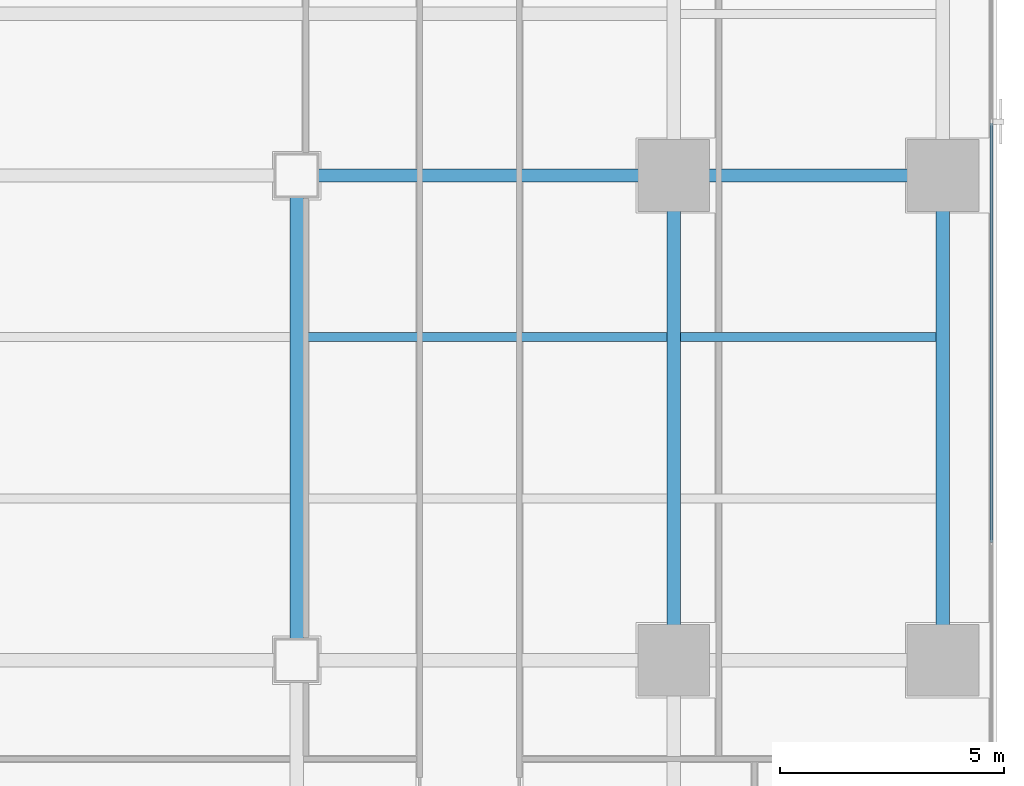
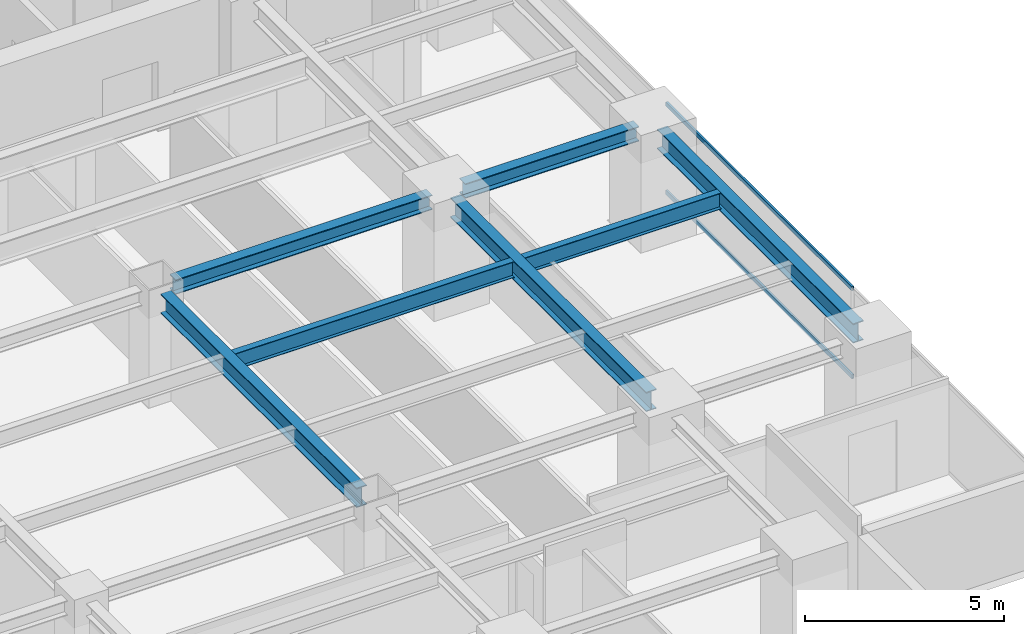
# One storey, part 12 of 28: 7 beams, 2 members, 1 element without a shape of its own.
"""IFC4 building model written with IfcOpenShell, lengths in metres."""

from ifc_helpers import new_model, si_unit, direction, frame, origin, origin_2d, place, context, subcontext, project, spatial, hollow_rectangle, i_section, extrude, source, transform, mapped, material, layer, layer_set, material_profile, profile_set, type_object, element, aggregate, save


model = new_model("IFC4")

# Units and contexts
model_context = context("Model", 3, precision=1e-05, world=origin(), true_north=direction((0.0, 1.0)))
body_context = subcontext(model_context, "Body", "Model", "MODEL_VIEW")
ifc_project = project(units=[si_unit("LENGTHUNIT", "METRE"), si_unit("AREAUNIT", "SQUARE_METRE"), si_unit("VOLUMEUNIT", "CUBIC_METRE"), si_unit("PLANEANGLEUNIT", "RADIAN"), si_unit("MASSUNIT", "GRAM", prefix="KILO")], contexts=[model_context])

# Site, building, storey
site_placement = place(None, origin())
site = spatial("IfcSite", under=ifc_project, at=site_placement, CompositionType="ELEMENT")
building_placement = place(site_placement, origin())
building = spatial("IfcBuilding", under=site, at=building_placement, Name="Sumidabori Civic Tower", CompositionType="ELEMENT")
storey_placement = place(building_placement, frame((0.0, 0.0, 178.39990234375)))
storey = spatial("IfcBuildingStorey", under=building, at=storey_placement, Name="L46", CompositionType="ELEMENT", Elevation=178.39990234375)

# Beams
ifc_material_1 = material(Name="Steel SN490", Category="steel")
ifc_material_profile_1 = material_profile(ifc_material_1, i_section(OverallWidth=0.300048828125, OverallDepth=0.60009765625, WebThickness=0.015380859375, FlangeThickness=0.030029296875, at=origin_2d()), Name="HE 600 B")
ifc_profile_set_1 = profile_set([ifc_material_profile_1], Name="Steel SN490")
beam_type_1 = type_object("IfcBeamType", Name="BM-GIRD-600", PredefinedType="BEAM", material=ifc_profile_set_1)
shared_shape_1 = source(origin(), body_context, "Body", "SweptSolid", [
    extrude(i_section(OverallWidth=0.300048828125, OverallDepth=0.60009765625, WebThickness=0.015380859375, FlangeThickness=0.030029296875, at=origin_2d()), origin(), (0.0, 0.0, 1.0), 9.840087890625),
])
for number, where, z_axis, x_axis, name in (
    (1, (8.39990234375, -10.320068359375, 3.080078125), (0.0, 1.0, 0.0), (-1.0, 0.0, 0.0), "Primary Girder L46 GY-31"),
    (2, (16.800048828125, -10.320068359375, 3.080078125), (0.0, 1.0, 0.0), (-1.0, 0.0, 0.0), "Primary Girder L46 GY-33"),
    (3, (22.800048828125, -10.320068359375, 3.080078125), (0.0, 1.0, 0.0), (-1.0, 0.0, 0.0), "Primary Girder L46 GY-36"),
):
    element("IfcBeam", number, at=place(storey_placement, frame(where, z_axis=z_axis, x_axis=x_axis)), inside=storey, type_object=beam_type_1, Name=name, PredefinedType="BEAM", context=body_context, shape_type="MappedRepresentation", body=[
        mapped(shared_shape_1, transform((0.0, 0.0, 0.0), x_axis=(1.0, 0.0, 0.0), y_axis=(0.0, 1.0, 0.0), z_axis=(0.0, 0.0, 1.0), scale=1.0)),
    ])
ifc_material_profile_2 = material_profile(ifc_material_1, i_section(OverallWidth=0.199951171875, OverallDepth=0.5, WebThickness=0.01025390625, FlangeThickness=0.01611328125, at=origin_2d()), Name="IPE 500")
ifc_profile_set_2 = profile_set([ifc_material_profile_2], Name="Steel SN490")
beam_type_2 = type_object("IfcBeamType", Name="BM-JST-500", PredefinedType="JOIST", material=ifc_profile_set_2)
shared_shape_2 = source(origin(), body_context, "Body", "SweptSolid", [
    extrude(i_section(OverallWidth=0.199951171875, OverallDepth=0.5, WebThickness=0.01025390625, FlangeThickness=0.01611328125, at=origin_2d()), origin(), (0.0, 0.0, 1.0), 5.699951171875),
])
beam_1_placement = place(storey_placement, frame((16.949951171875, -3.60009765625, 3.130126953125), z_axis=(1.0, 0.0, 0.0), x_axis=(0.0, 1.0, 0.0)))
element("IfcBeam", 4, at=beam_1_placement, inside=storey, type_object=beam_type_2, Name="Outer Bay Floor Joist L46 JSTO-42", PredefinedType="JOIST", context=body_context, shape_type="MappedRepresentation", body=[
    mapped(shared_shape_2, transform((0.0, 0.0, 0.0), x_axis=(1.0, 0.0, 0.0), y_axis=(0.0, 1.0, 0.0), z_axis=(0.0, 0.0, 1.0), scale=1.0)),
])
shared_shape_3 = source(origin(), body_context, "Body", "SweptSolid", [
    extrude(i_section(OverallWidth=0.199951171875, OverallDepth=0.5, WebThickness=0.01025390625, FlangeThickness=0.01611328125, at=origin_2d()), origin(), (0.0, 0.0, 1.0), 8.099853515625),
])
beam_2_placement = place(storey_placement, frame((8.550048828125, -3.60009765625, 3.130126953125), z_axis=(1.0, 0.0, 0.0), x_axis=(0.0, 1.0, 0.0)))
element("IfcBeam", 5, at=beam_2_placement, inside=storey, type_object=beam_type_2, Name="South Bay Floor Joist L46 JSTS-60", PredefinedType="JOIST", context=body_context, shape_type="MappedRepresentation", body=[
    mapped(shared_shape_3, transform((0.0, 0.0, 0.0), x_axis=(1.0, 0.0, 0.0), y_axis=(0.0, 1.0, 0.0), z_axis=(0.0, 0.0, 1.0), scale=1.0)),
])
ifc_material_profile_3 = material_profile(ifc_material_1, i_section(OverallWidth=0.300048828125, OverallDepth=0.449951171875, WebThickness=0.013916015625, FlangeThickness=0.02587890625, at=origin_2d()), Name="HE 450 B")
ifc_profile_set_3 = profile_set([ifc_material_profile_3], Name="Steel SN490")
beam_type_3 = type_object("IfcBeamType", Name="BM-GIRD-450", PredefinedType="BEAM", material=ifc_profile_set_3)
shared_shape_4 = source(origin(), body_context, "Body", "SweptSolid", [
    extrude(i_section(OverallWidth=0.300048828125, OverallDepth=0.449951171875, WebThickness=0.013916015625, FlangeThickness=0.02587890625, at=origin_2d()), origin(), (0.0, 0.0, 1.0), 7.440185546875),
])
beam_3_placement = place(storey_placement, frame((8.8798828125, 0.0, 3.155029296875), z_axis=(1.0, 0.0, 0.0), x_axis=(0.0, 1.0, 0.0)))
element("IfcBeam", 6, at=beam_3_placement, inside=storey, type_object=beam_type_3, Name="Primary Girder L46 GX-15", PredefinedType="BEAM", context=body_context, shape_type="MappedRepresentation", body=[
    mapped(shared_shape_4, transform((0.0, 0.0, 0.0), x_axis=(1.0, 0.0, 0.0), y_axis=(0.0, 1.0, 0.0), z_axis=(0.0, 0.0, 1.0), scale=1.0)),
])
shared_shape_5 = source(origin(), body_context, "Body", "SweptSolid", [
    extrude(i_section(OverallWidth=0.300048828125, OverallDepth=0.449951171875, WebThickness=0.013916015625, FlangeThickness=0.02587890625, at=origin_2d()), origin(), (0.0, 0.0, 1.0), 5.0400390625),
])
beam_4_placement = place(storey_placement, frame((17.280029296875, 0.0, 3.155029296875), z_axis=(1.0, 0.0, 0.0), x_axis=(0.0, 1.0, 0.0)))
element("IfcBeam", 7, at=beam_4_placement, inside=storey, type_object=beam_type_3, Name="Primary Girder L46 GX-16", PredefinedType="BEAM", context=body_context, shape_type="MappedRepresentation", body=[
    mapped(shared_shape_5, transform((0.0, 0.0, 0.0), x_axis=(1.0, 0.0, 0.0), y_axis=(0.0, 1.0, 0.0), z_axis=(0.0, 0.0, 1.0), scale=1.0)),
])

# Curtain wall, members
ifc_material_2 = material(Name="Anodised Bronze Aluminium AW-6063-T6", Category="aluminium")
ifc_layer = layer(ifc_material_2, 0.179931640625, Name="Anodised Bronze Aluminium AW-6063-T6")
ifc_layer_set = layer_set([ifc_layer], Name="Anodised Bronze Aluminium AW-6063-T6")
curtain_wall_type = type_object("IfcCurtainWallType", Name="CW-SYS-3", PredefinedType="NOTDEFINED", material=ifc_layer_set)
curtain_wall_placement = place(storey_placement, origin())
curtain_wall = element("IfcCurtainWall", 8, at=curtain_wall_placement, inside=storey, type_object=curtain_wall_type, Name="Curtain Wall CW:L46:R04", PredefinedType="NOTDEFINED")
ifc_material_profile_4 = material_profile(ifc_material_2, hollow_rectangle(XDim=0.06005859375, YDim=0.1298828125, WallThickness=0.0048828125, at=origin_2d()), Name="ALU TRANSOM 130x60")
ifc_profile_set_4 = profile_set([ifc_material_profile_4], Name="Anodised Bronze Aluminium AW-6063-T6")
member_type = type_object("IfcMemberType", Name="CW-TRN-130", PredefinedType="USERDEFINED", material=ifc_profile_set_4)
shared_shape_6 = source(origin(), body_context, "Body", "SweptSolid", [
    extrude(hollow_rectangle(XDim=0.06005859375, YDim=0.1298828125, WallThickness=0.0048828125, at=origin_2d()), origin(), (0.0, 0.0, 1.0), 9.344970703125),
])
member_1_placement = place(storey_placement, frame((23.8798828125, -8.177490234375, 0.030029296875), z_axis=(0.0, 1.0, 0.0), x_axis=(-1.0, 0.0, 0.0)))
member_1 = element("IfcMember", 9, at=member_1_placement, type_object=member_type, Name="CW-3 transom 2.1", ObjectType="TRANSOM", PredefinedType="USERDEFINED", context=body_context, shape_type="MappedRepresentation", body=[
    mapped(shared_shape_6, transform((0.0, 0.0, 0.0), x_axis=(1.0, 0.0, 0.0), y_axis=(0.0, 1.0, 0.0), z_axis=(0.0, 0.0, 1.0), scale=1.0)),
])
member_2_placement = place(storey_placement, frame((23.8798828125, -8.177490234375, 2.72998046875), z_axis=(0.0, 1.0, 0.0), x_axis=(-1.0, 0.0, 0.0)))
member_2 = element("IfcMember", 10, at=member_2_placement, type_object=member_type, Name="CW-3 transom 2.2", ObjectType="TRANSOM", PredefinedType="USERDEFINED", context=body_context, shape_type="MappedRepresentation", body=[
    mapped(shared_shape_6, transform((0.0, 0.0, 0.0), x_axis=(1.0, 0.0, 0.0), y_axis=(0.0, 1.0, 0.0), z_axis=(0.0, 0.0, 1.0), scale=1.0)),
])
aggregate(curtain_wall, [member_1, member_2])

save(model, "model.ifc")
